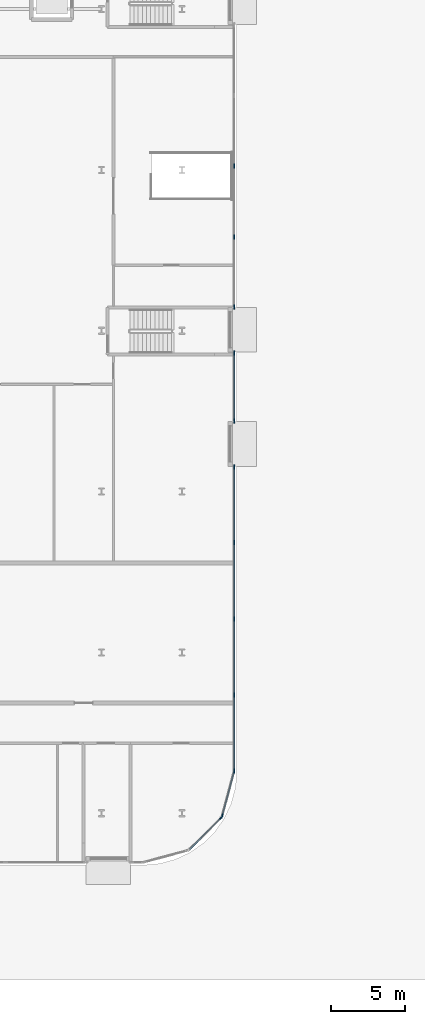
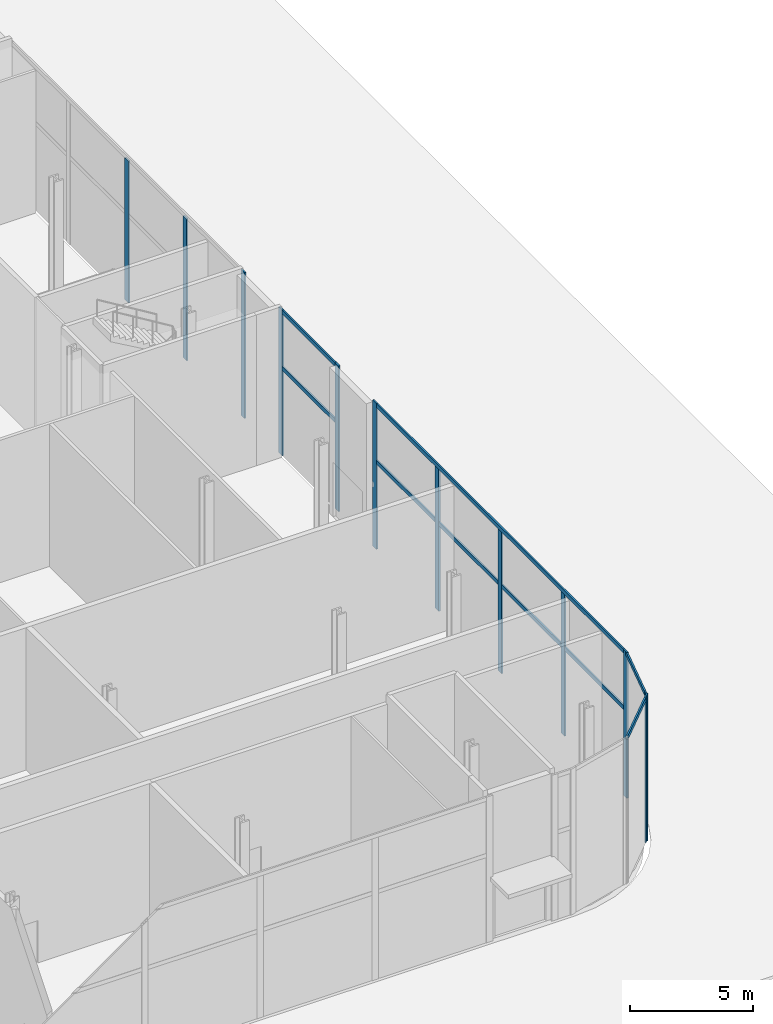
# One storey, part 10 of 46: 18 members, 5 elements without a shape of their own.
"""IFC4 building model written with IfcOpenShell, lengths in metres."""

from ifc_helpers import new_model, si_unit, direction, frame, origin, origin_2d, place, context, subcontext, project, spatial, rectangle, extrude, material, layer, layer_set, material_profile, profile_set, type_object, element, aggregate, save


model = new_model("IFC4")

# Units and contexts
model_context = context("Model", 3, precision=1e-05, world=origin(), true_north=direction((0.0, 1.0)))
body_context = subcontext(model_context, "Body", "Model", "MODEL_VIEW")
ifc_project = project(units=[si_unit("LENGTHUNIT", "METRE"), si_unit("AREAUNIT", "SQUARE_METRE"), si_unit("VOLUMEUNIT", "CUBIC_METRE"), si_unit("PLANEANGLEUNIT", "RADIAN"), si_unit("MASSUNIT", "GRAM", prefix="KILO")], contexts=[model_context])

# Site, building, storey
site_placement = place(None, origin())
site = spatial("IfcSite", under=ifc_project, at=site_placement, CompositionType="ELEMENT")
building_placement = place(site_placement, origin())
building = spatial("IfcBuilding", under=site, at=building_placement, Name="Kheshtan School and Residences Tower", CompositionType="ELEMENT")
storey_placement = place(building_placement, origin())
storey = spatial("IfcBuildingStorey", under=building, at=storey_placement, Name="L00", CompositionType="ELEMENT", Elevation=0.0)

# Curtain wall, members
ifc_material_1 = material(Name="Clear low-e glass in thermally broken aluminium frame", Category="aluminium")
ifc_layer = layer(ifc_material_1, 0.300048828125)
ifc_layer_set = layer_set([ifc_layer], Name="Curtain wall CW-A")
curtain_wall_type = type_object("IfcCurtainWallType", Name="Curtain wall CW-A", PredefinedType="NOTDEFINED", material=ifc_layer_set)
curtain_wall_1_placement = place(storey_placement, origin())
curtain_wall_1 = element("IfcCurtainWall", 1, at=curtain_wall_1_placement, inside=storey, type_object=curtain_wall_type, Name="Curtain wall CWA8b", PredefinedType="NOTDEFINED")
ifc_material_2 = material(Name="Thermally broken aluminium, dark bronze anodised", Category="aluminium")
ifc_material_profile_1 = material_profile(ifc_material_2, rectangle(XDim=0.074951171875, YDim=0.300048828125, at=origin_2d()), Name="CW-A mullion 75x300")
ifc_profile_set_1 = profile_set([ifc_material_profile_1], Name="Thermally broken aluminium, dark bronze anodised")
member_type_1 = type_object("IfcMemberType", Name="CW-A mullion 75x300", PredefinedType="MULLION", material=ifc_profile_set_1)
member_1_placement = place(storey_placement, frame((132.10009765625, 56.659912109375, 0.0), z_axis=(0.0, 0.0, 1.0), x_axis=(1.0, 0.0, 0.0)))
member_1 = element("IfcMember", 2, at=member_1_placement, type_object=member_type_1, Name="CWA8b mullion 3", PredefinedType="MULLION", context=body_context, shape_type="SweptSolid", body=[
    extrude(rectangle(XDim=0.074951171875, YDim=0.300048828125, at=origin_2d()), origin(), (0.0, 0.0, 1.0), 7.050048828125),
])
member_2_placement = place(storey_placement, frame((132.10009765625, 51.909912109375, 0.0), z_axis=(0.0, 0.0, 1.0), x_axis=(1.0, 0.0, 0.0)))
member_2 = element("IfcMember", 3, at=member_2_placement, type_object=member_type_1, Name="CWA8b mullion 4", PredefinedType="MULLION", context=body_context, shape_type="SweptSolid", body=[
    extrude(rectangle(XDim=0.074951171875, YDim=0.300048828125, at=origin_2d()), origin(), (0.0, 0.0, 1.0), 7.050048828125),
])
member_3_placement = place(storey_placement, frame((132.10009765625, 47.197509765625, 0.0), z_axis=(0.0, 0.0, 1.0), x_axis=(1.0, 0.0, 0.0)))
member_3 = element("IfcMember", 4, at=member_3_placement, type_object=member_type_1, Name="CWA8b mullion 5", PredefinedType="MULLION", context=body_context, shape_type="SweptSolid", body=[
    extrude(rectangle(XDim=0.074951171875, YDim=0.300048828125, at=origin_2d()), origin(), (0.0, 0.0, 1.0), 7.25),
])
aggregate(curtain_wall_1, [member_1, member_2, member_3])

curtain_wall_2_placement = place(storey_placement, origin())
curtain_wall_2 = element("IfcCurtainWall", 5, at=curtain_wall_2_placement, inside=storey, type_object=curtain_wall_type, Name="Curtain wall CWA8c", PredefinedType="NOTDEFINED")
member_4_placement = place(storey_placement, frame((132.10009765625, 44.12255859375, 0.0), z_axis=(0.0, 0.0, 1.0), x_axis=(1.0, 0.0, 0.0)))
member_4 = element("IfcMember", 6, at=member_4_placement, type_object=member_type_1, Name="CWA8c mullion 1", PredefinedType="MULLION", context=body_context, shape_type="SweptSolid", body=[
    extrude(rectangle(XDim=0.074951171875, YDim=0.300048828125, at=origin_2d()), origin(), (0.0, 0.0, 1.0), 7.25),
])
member_5_placement = place(storey_placement, frame((132.10009765625, 39.53759765625, 0.0), z_axis=(0.0, 0.0, 1.0), x_axis=(1.0, 0.0, 0.0)))
member_5 = element("IfcMember", 7, at=member_5_placement, type_object=member_type_1, Name="CWA8c mullion 2", PredefinedType="MULLION", context=body_context, shape_type="SweptSolid", body=[
    extrude(rectangle(XDim=0.074951171875, YDim=0.300048828125, at=origin_2d()), origin(), (0.0, 0.0, 1.0), 7.25),
])

curtain_wall_3_placement = place(storey_placement, origin())
curtain_wall_3 = element("IfcCurtainWall", 8, at=curtain_wall_3_placement, inside=storey, type_object=curtain_wall_type, Name="Curtain wall CWA8", PredefinedType="NOTDEFINED")
member_6_placement = place(storey_placement, frame((132.10009765625, 36.46240234375, 0.0), z_axis=(0.0, 0.0, 1.0), x_axis=(1.0, 0.0, 0.0)))
member_6 = element("IfcMember", 9, at=member_6_placement, type_object=member_type_1, Name="CWA8 mullion 1", PredefinedType="MULLION", context=body_context, shape_type="SweptSolid", body=[
    extrude(rectangle(XDim=0.074951171875, YDim=0.300048828125, at=origin_2d()), origin(), (0.0, 0.0, 1.0), 7.25),
])
member_7_placement = place(storey_placement, frame((132.10009765625, 31.375, 0.0), z_axis=(0.0, 0.0, 1.0), x_axis=(1.0, 0.0, 0.0)))
member_7 = element("IfcMember", 10, at=member_7_placement, type_object=member_type_1, Name="CWA8 mullion 2", PredefinedType="MULLION", context=body_context, shape_type="SweptSolid", body=[
    extrude(rectangle(XDim=0.074951171875, YDim=0.300048828125, at=origin_2d()), origin(), (0.0, 0.0, 1.0), 7.050048828125),
])
member_8_placement = place(storey_placement, frame((132.10009765625, 26.25, 0.0), z_axis=(0.0, 0.0, 1.0), x_axis=(1.0, 0.0, 0.0)))
member_8 = element("IfcMember", 11, at=member_8_placement, type_object=member_type_1, Name="CWA8 mullion 3", PredefinedType="MULLION", context=body_context, shape_type="SweptSolid", body=[
    extrude(rectangle(XDim=0.074951171875, YDim=0.300048828125, at=origin_2d()), origin(), (0.0, 0.0, 1.0), 7.050048828125),
])
member_9_placement = place(storey_placement, frame((132.10009765625, 21.125, 0.0), z_axis=(0.0, 0.0, 1.0), x_axis=(1.0, 0.0, 0.0)))
member_9 = element("IfcMember", 12, at=member_9_placement, type_object=member_type_1, Name="CWA8 mullion 4", PredefinedType="MULLION", context=body_context, shape_type="SweptSolid", body=[
    extrude(rectangle(XDim=0.074951171875, YDim=0.300048828125, at=origin_2d()), origin(), (0.0, 0.0, 1.0), 7.050048828125),
])
member_10_placement = place(storey_placement, frame((132.10009765625, 16.03759765625, 0.0), z_axis=(0.0, 0.0, 1.0), x_axis=(1.0, 0.0, 0.0)))
member_10 = element("IfcMember", 13, at=member_10_placement, type_object=member_type_1, Name="CWA8 mullion 5", PredefinedType="MULLION", context=body_context, shape_type="SweptSolid", body=[
    extrude(rectangle(XDim=0.074951171875, YDim=0.300048828125, at=origin_2d()), origin(), (0.0, 0.0, 1.0), 7.25),
])

# Curtain wall, member
curtain_wall_4_placement = place(storey_placement, origin())
curtain_wall_4 = element("IfcCurtainWall", 14, at=curtain_wall_4_placement, inside=storey, type_object=curtain_wall_type, Name="Curtain wall CWA9", PredefinedType="NOTDEFINED")
member_11_placement = place(storey_placement, frame((131.30224609375, 13.01025390625, 0.0), z_axis=(0.0, 0.0, 1.0), x_axis=(0.965913556273, -0.258864833085, 0.0)))
member_11 = element("IfcMember", 15, at=member_11_placement, type_object=member_type_1, Name="CWA9 mullion 2", PredefinedType="MULLION", context=body_context, shape_type="SweptSolid", body=[
    extrude(rectangle(XDim=0.074951171875, YDim=0.300048828125, at=origin_2d()), origin(), (0.0, 0.0, 1.0), 7.25),
])

curtain_wall_5_placement = place(storey_placement, origin())
curtain_wall_5 = element("IfcCurtainWall", 16, at=curtain_wall_5_placement, inside=storey, type_object=curtain_wall_type, Name="Curtain wall CWA10", PredefinedType="NOTDEFINED")
member_12_placement = place(storey_placement, frame((131.240234375, 12.90283203125, 0.0), z_axis=(0.0, 0.0, 1.0), x_axis=(0.707106781187, -0.707106781187, 0.0)))
member_12 = element("IfcMember", 17, at=member_12_placement, type_object=member_type_1, Name="CWA10 mullion 1", PredefinedType="MULLION", context=body_context, shape_type="SweptSolid", body=[
    extrude(rectangle(XDim=0.074951171875, YDim=0.300048828125, at=origin_2d()), origin(), (0.0, 0.0, 1.0), 7.25),
])

# Member
ifc_material_profile_2 = material_profile(ifc_material_2, rectangle(XDim=0.074951171875, YDim=0.199951171875, at=origin_2d()), Name="CW-A transom 75x200")
ifc_profile_set_2 = profile_set([ifc_material_profile_2], Name="Thermally broken aluminium, dark bronze anodised")
member_type_2 = type_object("IfcMemberType", Name="CW-A transom 75x200", PredefinedType="USERDEFINED", material=ifc_profile_set_2)
member_13_placement = place(storey_placement, frame((132.10009765625, 44.0849609375, 4.35009765625), z_axis=(0.0, -1.0, 0.0), x_axis=(1.0, 0.0, 0.0)))
member_13 = element("IfcMember", 18, at=member_13_placement, type_object=member_type_2, Name="CWA8c transom 1", ObjectType="TRANSOM", PredefinedType="USERDEFINED", context=body_context, shape_type="SweptSolid", body=[
    extrude(rectangle(XDim=0.074951171875, YDim=0.199951171875, at=origin_2d()), origin(), (0.0, 0.0, 1.0), 4.510009765625),
])

member_14_placement = place(storey_placement, frame((132.10009765625, 44.0849609375, 7.14990234375), z_axis=(0.0, -1.0, 0.0), x_axis=(1.0, 0.0, 0.0)))
member_14 = element("IfcMember", 19, at=member_14_placement, type_object=member_type_2, Name="CWA8c transom 2", ObjectType="TRANSOM", PredefinedType="USERDEFINED", context=body_context, shape_type="SweptSolid", body=[
    extrude(rectangle(XDim=0.074951171875, YDim=0.199951171875, at=origin_2d()), origin(), (0.0, 0.0, 1.0), 4.510009765625),
])

aggregate(curtain_wall_2, [member_4, member_5, member_13, member_14])

member_15_placement = place(storey_placement, frame((132.10009765625, 36.425048828125, 4.35009765625), z_axis=(0.0, -1.0, 0.0), x_axis=(1.0, 0.0, 0.0)))
member_15 = element("IfcMember", 20, at=member_15_placement, type_object=member_type_2, Name="CWA8 transom 1", ObjectType="TRANSOM", PredefinedType="USERDEFINED", context=body_context, shape_type="SweptSolid", body=[
    extrude(rectangle(XDim=0.074951171875, YDim=0.199951171875, at=origin_2d()), origin(), (0.0, 0.0, 1.0), 20.35009765625),
])

member_16_placement = place(storey_placement, frame((132.10009765625, 36.425048828125, 7.14990234375), z_axis=(0.0, -1.0, 0.0), x_axis=(1.0, 0.0, 0.0)))
member_16 = element("IfcMember", 21, at=member_16_placement, type_object=member_type_2, Name="CWA8 transom 2", ObjectType="TRANSOM", PredefinedType="USERDEFINED", context=body_context, shape_type="SweptSolid", body=[
    extrude(rectangle(XDim=0.074951171875, YDim=0.199951171875, at=origin_2d()), origin(), (0.0, 0.0, 1.0), 20.35009765625),
])

aggregate(curtain_wall_3, [member_6, member_7, member_8, member_9, member_10, member_15, member_16])

member_17_placement = place(storey_placement, frame((132.10302734375, 15.997802734375, 7.14990234375), z_axis=(-0.258895846387, -0.965905244174, 0.0), x_axis=(0.965905244174, -0.258895846387, 0.0)))
member_17 = element("IfcMember", 22, at=member_17_placement, type_object=member_type_2, Name="CWA9 transom 1", ObjectType="TRANSOM", PredefinedType="USERDEFINED", context=body_context, shape_type="SweptSolid", body=[
    extrude(rectangle(XDim=0.074951171875, YDim=0.199951171875, at=origin_2d()), origin(), (0.0, 0.0, 1.0), 3.055419921875),
])

aggregate(curtain_wall_4, [member_11, member_17])

member_18_placement = place(storey_placement, frame((131.213623046875, 12.876220703125, 7.14990234375), z_axis=(-0.707106781187, -0.707106781187, 0.0), x_axis=(0.707106781187, -0.707106781187, 0.0)))
member_18 = element("IfcMember", 23, at=member_18_placement, type_object=member_type_2, Name="CWA10 transom 1", ObjectType="TRANSOM", PredefinedType="USERDEFINED", context=body_context, shape_type="SweptSolid", body=[
    extrude(rectangle(XDim=0.074951171875, YDim=0.199951171875, at=origin_2d()), origin(), (0.0, 0.0, 1.0), 2.95556640625),
])

aggregate(curtain_wall_5, [member_12, member_18])

save(model, "model.ifc")
